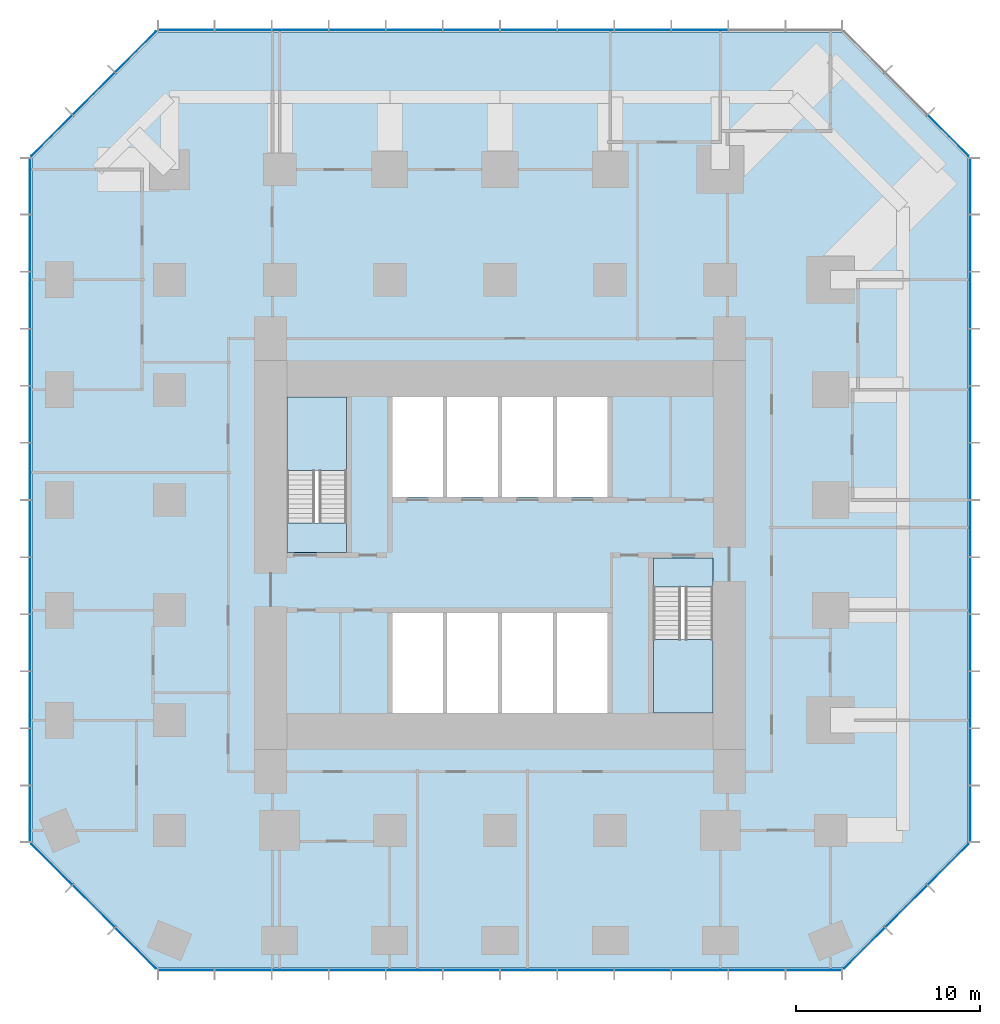
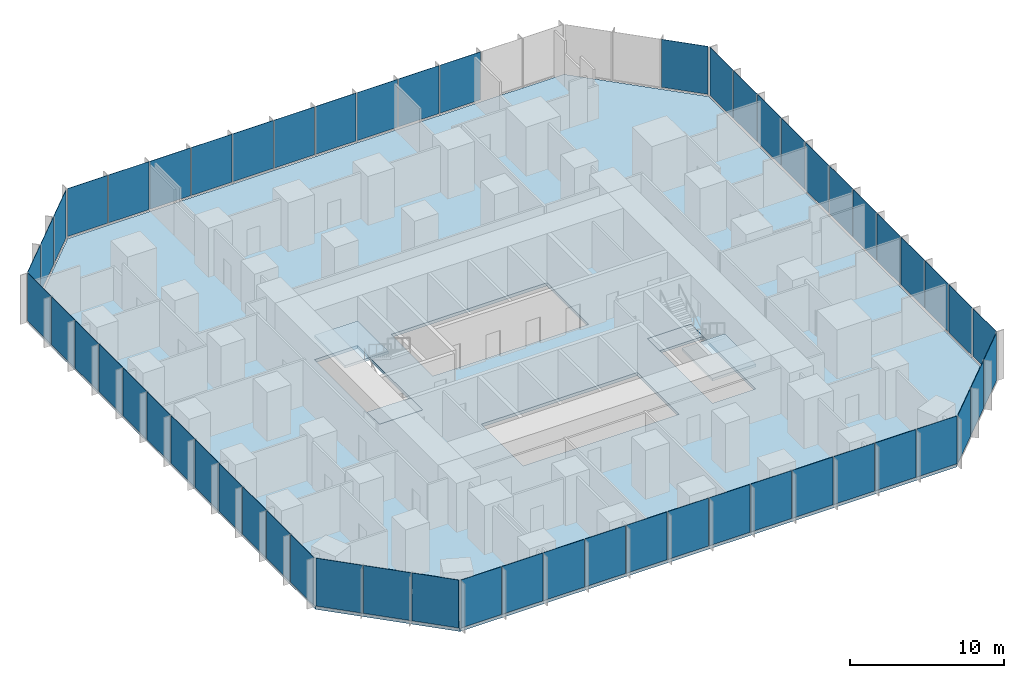
# One storey, part 7 of 12: 56 plates, 5 slabs, 10 elements without a shape of their own.
"""IFC4 building model written with IfcOpenShell, lengths in metres."""

from ifc_helpers import new_model, si_unit, direction, frame, origin, origin_2d, place, context, subcontext, project, spatial, polyline, rectangle, outline, extrude, material, layer, layer_set, type_object, element, aggregate, save


model = new_model("IFC4")

# Units and contexts
model_context = context("Model", 3, precision=1e-05, world=origin(), true_north=direction((0.0, 1.0)))
body_context = subcontext(model_context, "Body", "Model", "MODEL_VIEW")
ifc_project = project(units=[si_unit("LENGTHUNIT", "METRE"), si_unit("AREAUNIT", "SQUARE_METRE"), si_unit("VOLUMEUNIT", "CUBIC_METRE"), si_unit("PLANEANGLEUNIT", "RADIAN"), si_unit("MASSUNIT", "GRAM", prefix="KILO")], contexts=[model_context])

# Site, building, storey
site_placement = place(None, origin())
site = spatial("IfcSite", under=ifc_project, at=site_placement, CompositionType="ELEMENT")
building_placement = place(site_placement, origin())
building = spatial("IfcBuilding", under=site, at=building_placement, Name="Highveld Stack Headquarters", CompositionType="ELEMENT")
storey_placement = place(building_placement, frame((0.0, 0.0, 72.800048828125)))
storey = spatial("IfcBuildingStorey", under=building, at=storey_placement, Name="L17", CompositionType="ELEMENT", Elevation=72.800048828125)

# Curtain wall, plates
ifc_material_1 = material(Name="Aluminium bronze anodised", Category="aluminium")
ifc_layer_1 = layer(ifc_material_1, 0.199951171875)
ifc_layer_set_1 = layer_set([ifc_layer_1], Name="Aluminium bronze anodised")
curtain_wall_type_1 = type_object("IfcCurtainWallType", Name="CW1 TOWER UNITISED CURTAIN WALL", PredefinedType="NOTDEFINED", material=ifc_layer_set_1)
curtain_wall_1_placement = place(storey_placement, origin())
curtain_wall_1 = element("IfcCurtainWall", 1, at=curtain_wall_1_placement, inside=storey, type_object=curtain_wall_type_1, Name="Curtain wall CW1 L17 S", PredefinedType="NOTDEFINED")
ifc_material_2 = material(Name="Glass bronze tinted double glazed unit", Category="glass")
ifc_layer_2 = layer(ifc_material_2, 0.028076171875)
ifc_layer_set_2 = layer_set([ifc_layer_2], Name="Glass bronze tinted double glazed unit")
plate_type_1 = type_object("IfcPlateType", Name="CW1 PANEL BRONZE TINTED DOUBLE GLAZED UNIT", PredefinedType="CURTAIN_PANEL", material=ifc_layer_set_2)
plate_1_placement = place(storey_placement, frame((-11.09130859375, -19.60009765625, 0.10009765625), z_axis=(0.0, 0.0, 1.0), x_axis=(1.0, 0.0, 0.0)))
plate_1 = element("IfcPlate", 2, at=plate_1_placement, type_object=plate_type_1, Name="CW1 panel L17 1.1", PredefinedType="CURTAIN_PANEL", context=body_context, shape_type="SweptSolid", body=[
    extrude(rectangle(XDim=3.012939453125, YDim=0.028076171875, at=origin_2d()), origin(), (0.0, 0.0, 1.0), 3.800048828125),
])
plate_2_placement = place(storey_placement, frame((-7.9970703125, -19.60009765625, 0.10009765625), z_axis=(0.0, 0.0, 1.0), x_axis=(1.0, 0.0, 0.0)))
plate_2 = element("IfcPlate", 3, at=plate_2_placement, type_object=plate_type_1, Name="CW1 panel L17 2.1", PredefinedType="CURTAIN_PANEL", context=body_context, shape_type="SweptSolid", body=[
    extrude(rectangle(XDim=3.04541015625, YDim=0.028076171875, at=origin_2d()), origin(), (0.0, 0.0, 1.0), 3.800048828125),
])
plate_3_placement = place(storey_placement, frame((-4.88671875, -19.60009765625, 0.10009765625), z_axis=(0.0, 0.0, 1.0), x_axis=(1.0, 0.0, 0.0)))
plate_3 = element("IfcPlate", 4, at=plate_3_placement, type_object=plate_type_1, Name="CW1 panel L17 3.1", PredefinedType="CURTAIN_PANEL", context=body_context, shape_type="SweptSolid", body=[
    extrude(rectangle(XDim=3.04541015625, YDim=0.028076171875, at=origin_2d()), origin(), (0.0, 0.0, 1.0), 3.800048828125),
])
plate_4_placement = place(storey_placement, frame((-1.776123046875, -19.60009765625, 0.10009765625), z_axis=(0.0, 0.0, 1.0), x_axis=(1.0, 0.0, 0.0)))
plate_4 = element("IfcPlate", 5, at=plate_4_placement, type_object=plate_type_1, Name="CW1 panel L17 4.1", PredefinedType="CURTAIN_PANEL", context=body_context, shape_type="SweptSolid", body=[
    extrude(rectangle(XDim=3.04541015625, YDim=0.028076171875, at=origin_2d()), origin(), (0.0, 0.0, 1.0), 3.800048828125),
])
plate_5_placement = place(storey_placement, frame((1.334228515625, -19.60009765625, 0.10009765625), z_axis=(0.0, 0.0, 1.0), x_axis=(1.0, 0.0, 0.0)))
plate_5 = element("IfcPlate", 6, at=plate_5_placement, type_object=plate_type_1, Name="CW1 panel L17 5.1", PredefinedType="CURTAIN_PANEL", context=body_context, shape_type="SweptSolid", body=[
    extrude(rectangle(XDim=3.04541015625, YDim=0.028076171875, at=origin_2d()), origin(), (0.0, 0.0, 1.0), 3.800048828125),
])
plate_6_placement = place(storey_placement, frame((4.44482421875, -19.60009765625, 0.10009765625), z_axis=(0.0, 0.0, 1.0), x_axis=(1.0, 0.0, 0.0)))
plate_6 = element("IfcPlate", 7, at=plate_6_placement, type_object=plate_type_1, Name="CW1 panel L17 6.1", PredefinedType="CURTAIN_PANEL", context=body_context, shape_type="SweptSolid", body=[
    extrude(rectangle(XDim=3.04541015625, YDim=0.028076171875, at=origin_2d()), origin(), (0.0, 0.0, 1.0), 3.800048828125),
])
plate_7_placement = place(storey_placement, frame((7.55517578125, -19.60009765625, 0.10009765625), z_axis=(0.0, 0.0, 1.0), x_axis=(1.0, 0.0, 0.0)))
plate_7 = element("IfcPlate", 8, at=plate_7_placement, type_object=plate_type_1, Name="CW1 panel L17 7.1", PredefinedType="CURTAIN_PANEL", context=body_context, shape_type="SweptSolid", body=[
    extrude(rectangle(XDim=3.04541015625, YDim=0.028076171875, at=origin_2d()), origin(), (0.0, 0.0, 1.0), 3.800048828125),
])
plate_8_placement = place(storey_placement, frame((10.665771484375, -19.60009765625, 0.10009765625), z_axis=(0.0, 0.0, 1.0), x_axis=(1.0, 0.0, 0.0)))
plate_8 = element("IfcPlate", 9, at=plate_8_placement, type_object=plate_type_1, Name="CW1 panel L17 8.1", PredefinedType="CURTAIN_PANEL", context=body_context, shape_type="SweptSolid", body=[
    extrude(rectangle(XDim=3.04541015625, YDim=0.028076171875, at=origin_2d()), origin(), (0.0, 0.0, 1.0), 3.800048828125),
])
plate_9_placement = place(storey_placement, frame((13.776123046875, -19.60009765625, 0.10009765625), z_axis=(0.0, 0.0, 1.0), x_axis=(1.0, 0.0, 0.0)))
plate_9 = element("IfcPlate", 10, at=plate_9_placement, type_object=plate_type_1, Name="CW1 panel L17 9.1", PredefinedType="CURTAIN_PANEL", context=body_context, shape_type="SweptSolid", body=[
    extrude(rectangle(XDim=3.04541015625, YDim=0.028076171875, at=origin_2d()), origin(), (0.0, 0.0, 1.0), 3.800048828125),
])
plate_10_placement = place(storey_placement, frame((16.88671875, -19.60009765625, 0.10009765625), z_axis=(0.0, 0.0, 1.0), x_axis=(1.0, 0.0, 0.0)))
plate_10 = element("IfcPlate", 11, at=plate_10_placement, type_object=plate_type_1, Name="CW1 panel L17 10.1", PredefinedType="CURTAIN_PANEL", context=body_context, shape_type="SweptSolid", body=[
    extrude(rectangle(XDim=3.04541015625, YDim=0.028076171875, at=origin_2d()), origin(), (0.0, 0.0, 1.0), 3.800048828125),
])
plate_11_placement = place(storey_placement, frame((19.9970703125, -19.60009765625, 0.10009765625), z_axis=(0.0, 0.0, 1.0), x_axis=(1.0, 0.0, 0.0)))
plate_11 = element("IfcPlate", 12, at=plate_11_placement, type_object=plate_type_1, Name="CW1 panel L17 11.1", PredefinedType="CURTAIN_PANEL", context=body_context, shape_type="SweptSolid", body=[
    extrude(rectangle(XDim=3.04541015625, YDim=0.028076171875, at=origin_2d()), origin(), (0.0, 0.0, 1.0), 3.800048828125),
])
plate_12_placement = place(storey_placement, frame((23.09130859375, -19.60009765625, 0.10009765625), z_axis=(0.0, 0.0, 1.0), x_axis=(1.0, 0.0, 0.0)))
plate_12 = element("IfcPlate", 13, at=plate_12_placement, type_object=plate_type_1, Name="CW1 panel L17 12.1", PredefinedType="CURTAIN_PANEL", context=body_context, shape_type="SweptSolid", body=[
    extrude(rectangle(XDim=3.012939453125, YDim=0.028076171875, at=origin_2d()), origin(), (0.0, 0.0, 1.0), 3.800048828125),
])
aggregate(curtain_wall_1, [plate_1, plate_2, plate_3, plate_4, plate_5, plate_6, plate_7, plate_8, plate_9, plate_10, plate_11, plate_12])

curtain_wall_2_placement = place(storey_placement, origin())
curtain_wall_2 = element("IfcCurtainWall", 14, at=curtain_wall_2_placement, inside=storey, type_object=curtain_wall_type_1, Name="Curtain wall CW1 L17 E", PredefinedType="NOTDEFINED")
plate_13_placement = place(storey_placement, frame((31.60009765625, -11.09130859375, 0.10009765625), z_axis=(0.0, 0.0, 1.0), x_axis=(0.0, 1.0, 0.0)))
plate_13 = element("IfcPlate", 15, at=plate_13_placement, type_object=plate_type_1, Name="CW1 panel L17 1.1", PredefinedType="CURTAIN_PANEL", context=body_context, shape_type="SweptSolid", body=[
    extrude(rectangle(XDim=3.012939453125, YDim=0.028076171875, at=origin_2d()), origin(), (0.0, 0.0, 1.0), 3.800048828125),
])
plate_14_placement = place(storey_placement, frame((31.60009765625, -7.9970703125, 0.10009765625), z_axis=(0.0, 0.0, 1.0), x_axis=(0.0, 1.0, 0.0)))
plate_14 = element("IfcPlate", 16, at=plate_14_placement, type_object=plate_type_1, Name="CW1 panel L17 2.1", PredefinedType="CURTAIN_PANEL", context=body_context, shape_type="SweptSolid", body=[
    extrude(rectangle(XDim=3.04541015625, YDim=0.028076171875, at=origin_2d()), origin(), (0.0, 0.0, 1.0), 3.800048828125),
])
plate_15_placement = place(storey_placement, frame((31.60009765625, -4.88671875, 0.10009765625), z_axis=(0.0, 0.0, 1.0), x_axis=(0.0, 1.0, 0.0)))
plate_15 = element("IfcPlate", 17, at=plate_15_placement, type_object=plate_type_1, Name="CW1 panel L17 3.1", PredefinedType="CURTAIN_PANEL", context=body_context, shape_type="SweptSolid", body=[
    extrude(rectangle(XDim=3.04541015625, YDim=0.028076171875, at=origin_2d()), origin(), (0.0, 0.0, 1.0), 3.800048828125),
])
plate_16_placement = place(storey_placement, frame((31.60009765625, -1.776123046875, 0.10009765625), z_axis=(0.0, 0.0, 1.0), x_axis=(0.0, 1.0, 0.0)))
plate_16 = element("IfcPlate", 18, at=plate_16_placement, type_object=plate_type_1, Name="CW1 panel L17 4.1", PredefinedType="CURTAIN_PANEL", context=body_context, shape_type="SweptSolid", body=[
    extrude(rectangle(XDim=3.04541015625, YDim=0.028076171875, at=origin_2d()), origin(), (0.0, 0.0, 1.0), 3.800048828125),
])
plate_17_placement = place(storey_placement, frame((31.60009765625, 1.334228515625, 0.10009765625), z_axis=(0.0, 0.0, 1.0), x_axis=(0.0, 1.0, 0.0)))
plate_17 = element("IfcPlate", 19, at=plate_17_placement, type_object=plate_type_1, Name="CW1 panel L17 5.1", PredefinedType="CURTAIN_PANEL", context=body_context, shape_type="SweptSolid", body=[
    extrude(rectangle(XDim=3.04541015625, YDim=0.028076171875, at=origin_2d()), origin(), (0.0, 0.0, 1.0), 3.800048828125),
])
plate_18_placement = place(storey_placement, frame((31.60009765625, 4.44482421875, 0.10009765625), z_axis=(0.0, 0.0, 1.0), x_axis=(0.0, 1.0, 0.0)))
plate_18 = element("IfcPlate", 20, at=plate_18_placement, type_object=plate_type_1, Name="CW1 panel L17 6.1", PredefinedType="CURTAIN_PANEL", context=body_context, shape_type="SweptSolid", body=[
    extrude(rectangle(XDim=3.04541015625, YDim=0.028076171875, at=origin_2d()), origin(), (0.0, 0.0, 1.0), 3.800048828125),
])
plate_19_placement = place(storey_placement, frame((31.60009765625, 7.55517578125, 0.10009765625), z_axis=(0.0, 0.0, 1.0), x_axis=(0.0, 1.0, 0.0)))
plate_19 = element("IfcPlate", 21, at=plate_19_placement, type_object=plate_type_1, Name="CW1 panel L17 7.1", PredefinedType="CURTAIN_PANEL", context=body_context, shape_type="SweptSolid", body=[
    extrude(rectangle(XDim=3.04541015625, YDim=0.028076171875, at=origin_2d()), origin(), (0.0, 0.0, 1.0), 3.800048828125),
])
plate_20_placement = place(storey_placement, frame((31.60009765625, 10.665771484375, 0.10009765625), z_axis=(0.0, 0.0, 1.0), x_axis=(0.0, 1.0, 0.0)))
plate_20 = element("IfcPlate", 22, at=plate_20_placement, type_object=plate_type_1, Name="CW1 panel L17 8.1", PredefinedType="CURTAIN_PANEL", context=body_context, shape_type="SweptSolid", body=[
    extrude(rectangle(XDim=3.04541015625, YDim=0.028076171875, at=origin_2d()), origin(), (0.0, 0.0, 1.0), 3.800048828125),
])
plate_21_placement = place(storey_placement, frame((31.60009765625, 13.776123046875, 0.10009765625), z_axis=(0.0, 0.0, 1.0), x_axis=(0.0, 1.0, 0.0)))
plate_21 = element("IfcPlate", 23, at=plate_21_placement, type_object=plate_type_1, Name="CW1 panel L17 9.1", PredefinedType="CURTAIN_PANEL", context=body_context, shape_type="SweptSolid", body=[
    extrude(rectangle(XDim=3.04541015625, YDim=0.028076171875, at=origin_2d()), origin(), (0.0, 0.0, 1.0), 3.800048828125),
])
plate_22_placement = place(storey_placement, frame((31.60009765625, 16.88671875, 0.10009765625), z_axis=(0.0, 0.0, 1.0), x_axis=(0.0, 1.0, 0.0)))
plate_22 = element("IfcPlate", 24, at=plate_22_placement, type_object=plate_type_1, Name="CW1 panel L17 10.1", PredefinedType="CURTAIN_PANEL", context=body_context, shape_type="SweptSolid", body=[
    extrude(rectangle(XDim=3.04541015625, YDim=0.028076171875, at=origin_2d()), origin(), (0.0, 0.0, 1.0), 3.800048828125),
])
plate_23_placement = place(storey_placement, frame((31.60009765625, 19.9970703125, 0.10009765625), z_axis=(0.0, 0.0, 1.0), x_axis=(0.0, 1.0, 0.0)))
plate_23 = element("IfcPlate", 25, at=plate_23_placement, type_object=plate_type_1, Name="CW1 panel L17 11.1", PredefinedType="CURTAIN_PANEL", context=body_context, shape_type="SweptSolid", body=[
    extrude(rectangle(XDim=3.04541015625, YDim=0.028076171875, at=origin_2d()), origin(), (0.0, 0.0, 1.0), 3.800048828125),
])
plate_24_placement = place(storey_placement, frame((31.60009765625, 23.09130859375, 0.10009765625), z_axis=(0.0, 0.0, 1.0), x_axis=(0.0, 1.0, 0.0)))
plate_24 = element("IfcPlate", 26, at=plate_24_placement, type_object=plate_type_1, Name="CW1 panel L17 12.1", PredefinedType="CURTAIN_PANEL", context=body_context, shape_type="SweptSolid", body=[
    extrude(rectangle(XDim=3.012939453125, YDim=0.028076171875, at=origin_2d()), origin(), (0.0, 0.0, 1.0), 3.800048828125),
])
aggregate(curtain_wall_2, [plate_13, plate_14, plate_15, plate_16, plate_17, plate_18, plate_19, plate_20, plate_21, plate_22, plate_23, plate_24])

curtain_wall_3_placement = place(storey_placement, origin())
curtain_wall_3 = element("IfcCurtainWall", 27, at=curtain_wall_3_placement, inside=storey, type_object=curtain_wall_type_1, Name="Curtain wall CW1 L17 N", PredefinedType="NOTDEFINED")
plate_25_placement = place(storey_placement, frame((16.88671875, 31.60009765625, 0.10009765625), z_axis=(0.0, 0.0, 1.0), x_axis=(-1.0, 0.0, 0.0)))
plate_25 = element("IfcPlate", 28, at=plate_25_placement, type_object=plate_type_1, Name="CW1 panel L17 3.1", PredefinedType="CURTAIN_PANEL", context=body_context, shape_type="SweptSolid", body=[
    extrude(rectangle(XDim=3.04541015625, YDim=0.028076171875, at=origin_2d()), origin(), (0.0, 0.0, 1.0), 3.800048828125),
])
plate_26_placement = place(storey_placement, frame((13.776123046875, 31.60009765625, 0.10009765625), z_axis=(0.0, 0.0, 1.0), x_axis=(-1.0, 0.0, 0.0)))
plate_26 = element("IfcPlate", 29, at=plate_26_placement, type_object=plate_type_1, Name="CW1 panel L17 4.1", PredefinedType="CURTAIN_PANEL", context=body_context, shape_type="SweptSolid", body=[
    extrude(rectangle(XDim=3.04541015625, YDim=0.028076171875, at=origin_2d()), origin(), (0.0, 0.0, 1.0), 3.800048828125),
])
plate_27_placement = place(storey_placement, frame((10.665771484375, 31.60009765625, 0.10009765625), z_axis=(0.0, 0.0, 1.0), x_axis=(-1.0, 0.0, 0.0)))
plate_27 = element("IfcPlate", 30, at=plate_27_placement, type_object=plate_type_1, Name="CW1 panel L17 5.1", PredefinedType="CURTAIN_PANEL", context=body_context, shape_type="SweptSolid", body=[
    extrude(rectangle(XDim=3.04541015625, YDim=0.028076171875, at=origin_2d()), origin(), (0.0, 0.0, 1.0), 3.800048828125),
])
plate_28_placement = place(storey_placement, frame((7.55517578125, 31.60009765625, 0.10009765625), z_axis=(0.0, 0.0, 1.0), x_axis=(-1.0, 0.0, 0.0)))
plate_28 = element("IfcPlate", 31, at=plate_28_placement, type_object=plate_type_1, Name="CW1 panel L17 6.1", PredefinedType="CURTAIN_PANEL", context=body_context, shape_type="SweptSolid", body=[
    extrude(rectangle(XDim=3.04541015625, YDim=0.028076171875, at=origin_2d()), origin(), (0.0, 0.0, 1.0), 3.800048828125),
])
plate_29_placement = place(storey_placement, frame((4.44482421875, 31.60009765625, 0.10009765625), z_axis=(0.0, 0.0, 1.0), x_axis=(-1.0, 0.0, 0.0)))
plate_29 = element("IfcPlate", 32, at=plate_29_placement, type_object=plate_type_1, Name="CW1 panel L17 7.1", PredefinedType="CURTAIN_PANEL", context=body_context, shape_type="SweptSolid", body=[
    extrude(rectangle(XDim=3.04541015625, YDim=0.028076171875, at=origin_2d()), origin(), (0.0, 0.0, 1.0), 3.800048828125),
])
plate_30_placement = place(storey_placement, frame((1.334228515625, 31.60009765625, 0.10009765625), z_axis=(0.0, 0.0, 1.0), x_axis=(-1.0, 0.0, 0.0)))
plate_30 = element("IfcPlate", 33, at=plate_30_placement, type_object=plate_type_1, Name="CW1 panel L17 8.1", PredefinedType="CURTAIN_PANEL", context=body_context, shape_type="SweptSolid", body=[
    extrude(rectangle(XDim=3.04541015625, YDim=0.028076171875, at=origin_2d()), origin(), (0.0, 0.0, 1.0), 3.800048828125),
])
plate_31_placement = place(storey_placement, frame((-1.776123046875, 31.60009765625, 0.10009765625), z_axis=(0.0, 0.0, 1.0), x_axis=(-1.0, 0.0, 0.0)))
plate_31 = element("IfcPlate", 34, at=plate_31_placement, type_object=plate_type_1, Name="CW1 panel L17 9.1", PredefinedType="CURTAIN_PANEL", context=body_context, shape_type="SweptSolid", body=[
    extrude(rectangle(XDim=3.04541015625, YDim=0.028076171875, at=origin_2d()), origin(), (0.0, 0.0, 1.0), 3.800048828125),
])
plate_32_placement = place(storey_placement, frame((-4.88671875, 31.60009765625, 0.10009765625), z_axis=(0.0, 0.0, 1.0), x_axis=(-1.0, 0.0, 0.0)))
plate_32 = element("IfcPlate", 35, at=plate_32_placement, type_object=plate_type_1, Name="CW1 panel L17 10.1", PredefinedType="CURTAIN_PANEL", context=body_context, shape_type="SweptSolid", body=[
    extrude(rectangle(XDim=3.04541015625, YDim=0.028076171875, at=origin_2d()), origin(), (0.0, 0.0, 1.0), 3.800048828125),
])
plate_33_placement = place(storey_placement, frame((-7.9970703125, 31.60009765625, 0.10009765625), z_axis=(0.0, 0.0, 1.0), x_axis=(-1.0, 0.0, 0.0)))
plate_33 = element("IfcPlate", 36, at=plate_33_placement, type_object=plate_type_1, Name="CW1 panel L17 11.1", PredefinedType="CURTAIN_PANEL", context=body_context, shape_type="SweptSolid", body=[
    extrude(rectangle(XDim=3.04541015625, YDim=0.028076171875, at=origin_2d()), origin(), (0.0, 0.0, 1.0), 3.800048828125),
])
plate_34_placement = place(storey_placement, frame((-11.09130859375, 31.60009765625, 0.10009765625), z_axis=(0.0, 0.0, 1.0), x_axis=(-1.0, 0.0, 0.0)))
plate_34 = element("IfcPlate", 37, at=plate_34_placement, type_object=plate_type_1, Name="CW1 panel L17 12.1", PredefinedType="CURTAIN_PANEL", context=body_context, shape_type="SweptSolid", body=[
    extrude(rectangle(XDim=3.012939453125, YDim=0.028076171875, at=origin_2d()), origin(), (0.0, 0.0, 1.0), 3.800048828125),
])
aggregate(curtain_wall_3, [plate_25, plate_26, plate_27, plate_28, plate_29, plate_30, plate_31, plate_32, plate_33, plate_34])

curtain_wall_4_placement = place(storey_placement, origin())
curtain_wall_4 = element("IfcCurtainWall", 38, at=curtain_wall_4_placement, inside=storey, type_object=curtain_wall_type_1, Name="Curtain wall CW1 L17 W", PredefinedType="NOTDEFINED")
plate_35_placement = place(storey_placement, frame((-19.60009765625, 23.09130859375, 0.10009765625), z_axis=(0.0, 0.0, 1.0), x_axis=(0.0, -1.0, 0.0)))
plate_35 = element("IfcPlate", 39, at=plate_35_placement, type_object=plate_type_1, Name="CW1 panel L17 1.1", PredefinedType="CURTAIN_PANEL", context=body_context, shape_type="SweptSolid", body=[
    extrude(rectangle(XDim=3.012939453125, YDim=0.028076171875, at=origin_2d()), origin(), (0.0, 0.0, 1.0), 3.800048828125),
])
plate_36_placement = place(storey_placement, frame((-19.60009765625, 19.9970703125, 0.10009765625), z_axis=(0.0, 0.0, 1.0), x_axis=(0.0, -1.0, 0.0)))
plate_36 = element("IfcPlate", 40, at=plate_36_placement, type_object=plate_type_1, Name="CW1 panel L17 2.1", PredefinedType="CURTAIN_PANEL", context=body_context, shape_type="SweptSolid", body=[
    extrude(rectangle(XDim=3.04541015625, YDim=0.028076171875, at=origin_2d()), origin(), (0.0, 0.0, 1.0), 3.800048828125),
])
plate_37_placement = place(storey_placement, frame((-19.60009765625, 16.88671875, 0.10009765625), z_axis=(0.0, 0.0, 1.0), x_axis=(0.0, -1.0, 0.0)))
plate_37 = element("IfcPlate", 41, at=plate_37_placement, type_object=plate_type_1, Name="CW1 panel L17 3.1", PredefinedType="CURTAIN_PANEL", context=body_context, shape_type="SweptSolid", body=[
    extrude(rectangle(XDim=3.04541015625, YDim=0.028076171875, at=origin_2d()), origin(), (0.0, 0.0, 1.0), 3.800048828125),
])
plate_38_placement = place(storey_placement, frame((-19.60009765625, 13.776123046875, 0.10009765625), z_axis=(0.0, 0.0, 1.0), x_axis=(0.0, -1.0, 0.0)))
plate_38 = element("IfcPlate", 42, at=plate_38_placement, type_object=plate_type_1, Name="CW1 panel L17 4.1", PredefinedType="CURTAIN_PANEL", context=body_context, shape_type="SweptSolid", body=[
    extrude(rectangle(XDim=3.04541015625, YDim=0.028076171875, at=origin_2d()), origin(), (0.0, 0.0, 1.0), 3.800048828125),
])
plate_39_placement = place(storey_placement, frame((-19.60009765625, 10.665771484375, 0.10009765625), z_axis=(0.0, 0.0, 1.0), x_axis=(0.0, -1.0, 0.0)))
plate_39 = element("IfcPlate", 43, at=plate_39_placement, type_object=plate_type_1, Name="CW1 panel L17 5.1", PredefinedType="CURTAIN_PANEL", context=body_context, shape_type="SweptSolid", body=[
    extrude(rectangle(XDim=3.04541015625, YDim=0.028076171875, at=origin_2d()), origin(), (0.0, 0.0, 1.0), 3.800048828125),
])
plate_40_placement = place(storey_placement, frame((-19.60009765625, 7.55517578125, 0.10009765625), z_axis=(0.0, 0.0, 1.0), x_axis=(0.0, -1.0, 0.0)))
plate_40 = element("IfcPlate", 44, at=plate_40_placement, type_object=plate_type_1, Name="CW1 panel L17 6.1", PredefinedType="CURTAIN_PANEL", context=body_context, shape_type="SweptSolid", body=[
    extrude(rectangle(XDim=3.04541015625, YDim=0.028076171875, at=origin_2d()), origin(), (0.0, 0.0, 1.0), 3.800048828125),
])
plate_41_placement = place(storey_placement, frame((-19.60009765625, 4.44482421875, 0.10009765625), z_axis=(0.0, 0.0, 1.0), x_axis=(0.0, -1.0, 0.0)))
plate_41 = element("IfcPlate", 45, at=plate_41_placement, type_object=plate_type_1, Name="CW1 panel L17 7.1", PredefinedType="CURTAIN_PANEL", context=body_context, shape_type="SweptSolid", body=[
    extrude(rectangle(XDim=3.04541015625, YDim=0.028076171875, at=origin_2d()), origin(), (0.0, 0.0, 1.0), 3.800048828125),
])
plate_42_placement = place(storey_placement, frame((-19.60009765625, 1.334228515625, 0.10009765625), z_axis=(0.0, 0.0, 1.0), x_axis=(0.0, -1.0, 0.0)))
plate_42 = element("IfcPlate", 46, at=plate_42_placement, type_object=plate_type_1, Name="CW1 panel L17 8.1", PredefinedType="CURTAIN_PANEL", context=body_context, shape_type="SweptSolid", body=[
    extrude(rectangle(XDim=3.04541015625, YDim=0.028076171875, at=origin_2d()), origin(), (0.0, 0.0, 1.0), 3.800048828125),
])
plate_43_placement = place(storey_placement, frame((-19.60009765625, -1.776123046875, 0.10009765625), z_axis=(0.0, 0.0, 1.0), x_axis=(0.0, -1.0, 0.0)))
plate_43 = element("IfcPlate", 47, at=plate_43_placement, type_object=plate_type_1, Name="CW1 panel L17 9.1", PredefinedType="CURTAIN_PANEL", context=body_context, shape_type="SweptSolid", body=[
    extrude(rectangle(XDim=3.04541015625, YDim=0.028076171875, at=origin_2d()), origin(), (0.0, 0.0, 1.0), 3.800048828125),
])
plate_44_placement = place(storey_placement, frame((-19.60009765625, -4.88671875, 0.10009765625), z_axis=(0.0, 0.0, 1.0), x_axis=(0.0, -1.0, 0.0)))
plate_44 = element("IfcPlate", 48, at=plate_44_placement, type_object=plate_type_1, Name="CW1 panel L17 10.1", PredefinedType="CURTAIN_PANEL", context=body_context, shape_type="SweptSolid", body=[
    extrude(rectangle(XDim=3.04541015625, YDim=0.028076171875, at=origin_2d()), origin(), (0.0, 0.0, 1.0), 3.800048828125),
])
plate_45_placement = place(storey_placement, frame((-19.60009765625, -7.9970703125, 0.10009765625), z_axis=(0.0, 0.0, 1.0), x_axis=(0.0, -1.0, 0.0)))
plate_45 = element("IfcPlate", 49, at=plate_45_placement, type_object=plate_type_1, Name="CW1 panel L17 11.1", PredefinedType="CURTAIN_PANEL", context=body_context, shape_type="SweptSolid", body=[
    extrude(rectangle(XDim=3.04541015625, YDim=0.028076171875, at=origin_2d()), origin(), (0.0, 0.0, 1.0), 3.800048828125),
])
plate_46_placement = place(storey_placement, frame((-19.60009765625, -11.09130859375, 0.10009765625), z_axis=(0.0, 0.0, 1.0), x_axis=(0.0, -1.0, 0.0)))
plate_46 = element("IfcPlate", 50, at=plate_46_placement, type_object=plate_type_1, Name="CW1 panel L17 12.1", PredefinedType="CURTAIN_PANEL", context=body_context, shape_type="SweptSolid", body=[
    extrude(rectangle(XDim=3.012939453125, YDim=0.028076171875, at=origin_2d()), origin(), (0.0, 0.0, 1.0), 3.800048828125),
])
aggregate(curtain_wall_4, [plate_35, plate_36, plate_37, plate_38, plate_39, plate_40, plate_41, plate_42, plate_43, plate_44, plate_45, plate_46])

ifc_material_3 = material(Name="Aluminium bronze anodised", Category="aluminium")
ifc_layer_3 = layer(ifc_material_3, 0.199951171875)
ifc_layer_set_3 = layer_set([ifc_layer_3], Name="Aluminium bronze anodised")
curtain_wall_type_2 = type_object("IfcCurtainWallType", Name="CW2 TOWER CHAMFER UNITISED CURTAIN WALL", PredefinedType="NOTDEFINED", material=ifc_layer_set_3)
curtain_wall_5_placement = place(storey_placement, origin())
curtain_wall_5 = element("IfcCurtainWall", 51, at=curtain_wall_5_placement, inside=storey, type_object=curtain_wall_type_2, Name="Curtain wall CW2 L17 SE", PredefinedType="NOTDEFINED")
ifc_material_4 = material(Name="Glass bronze tinted double glazed unit", Category="glass")
ifc_layer_4 = layer(ifc_material_4, 0.028076171875)
ifc_layer_set_4 = layer_set([ifc_layer_4], Name="Glass bronze tinted double glazed unit")
plate_type_2 = type_object("IfcPlateType", Name="CW2 PANEL BRONZE TINTED DOUBLE GLAZED UNIT", PredefinedType="CURTAIN_PANEL", material=ifc_layer_set_4)
plate_47_placement = place(storey_placement, frame((25.8427734375, -18.419921875, 0.10009765625), z_axis=(0.0, 0.0, 1.0), x_axis=(0.707106781187, 0.707106781187, 0.0)))
plate_47 = element("IfcPlate", 52, at=plate_47_placement, type_object=plate_type_2, Name="CW2 panel L17 1.1", PredefinedType="CURTAIN_PANEL", context=body_context, shape_type="SweptSolid", body=[
    extrude(rectangle(XDim=3.1376953125, YDim=0.028076171875, at=origin_2d()), origin(), (0.0, 0.0, 1.0), 3.800048828125),
])
plate_48_placement = place(storey_placement, frame((28.13134765625, -16.13134765625, 0.10009765625), z_axis=(0.0, 0.0, 1.0), x_axis=(0.707106781187, 0.707106781187, 0.0)))
plate_48 = element("IfcPlate", 53, at=plate_48_placement, type_object=plate_type_2, Name="CW2 panel L17 2.1", PredefinedType="CURTAIN_PANEL", context=body_context, shape_type="SweptSolid", body=[
    extrude(rectangle(XDim=3.205322265625, YDim=0.028076171875, at=origin_2d()), origin(), (0.0, 0.0, 1.0), 3.800048828125),
])
plate_49_placement = place(storey_placement, frame((30.419921875, -13.8427734375, 0.10009765625), z_axis=(0.0, 0.0, 1.0), x_axis=(0.707106781187, 0.707106781187, 0.0)))
plate_49 = element("IfcPlate", 54, at=plate_49_placement, type_object=plate_type_2, Name="CW2 panel L17 3.1", PredefinedType="CURTAIN_PANEL", context=body_context, shape_type="SweptSolid", body=[
    extrude(rectangle(XDim=3.1376953125, YDim=0.028076171875, at=origin_2d()), origin(), (0.0, 0.0, 1.0), 3.800048828125),
])
aggregate(curtain_wall_5, [plate_47, plate_48, plate_49])

# Curtain wall, plate
curtain_wall_6_placement = place(storey_placement, origin())
curtain_wall_6 = element("IfcCurtainWall", 55, at=curtain_wall_6_placement, inside=storey, type_object=curtain_wall_type_2, Name="Curtain wall CW2 L17 NE", PredefinedType="NOTDEFINED")
plate_50_placement = place(storey_placement, frame((30.419921875, 25.8427734375, 0.10009765625), z_axis=(0.0, 0.0, 1.0), x_axis=(-0.707106781187, 0.707106781187, 0.0)))
plate_50 = element("IfcPlate", 56, at=plate_50_placement, type_object=plate_type_2, Name="CW2 panel L17 1.1", PredefinedType="CURTAIN_PANEL", context=body_context, shape_type="SweptSolid", body=[
    extrude(rectangle(XDim=3.1376953125, YDim=0.028076171875, at=origin_2d()), origin(), (0.0, 0.0, 1.0), 3.800048828125),
])
aggregate(curtain_wall_6, [plate_50])

# Curtain wall, plates
curtain_wall_7_placement = place(storey_placement, origin())
curtain_wall_7 = element("IfcCurtainWall", 57, at=curtain_wall_7_placement, inside=storey, type_object=curtain_wall_type_2, Name="Curtain wall CW2 L17 NW", PredefinedType="NOTDEFINED")
plate_51_placement = place(storey_placement, frame((-13.8427734375, 30.419921875, 0.10009765625), z_axis=(0.0, 0.0, 1.0), x_axis=(-0.707106781187, -0.707106781187, 0.0)))
plate_51 = element("IfcPlate", 58, at=plate_51_placement, type_object=plate_type_2, Name="CW2 panel L17 1.1", PredefinedType="CURTAIN_PANEL", context=body_context, shape_type="SweptSolid", body=[
    extrude(rectangle(XDim=3.1376953125, YDim=0.028076171875, at=origin_2d()), origin(), (0.0, 0.0, 1.0), 3.800048828125),
])
plate_52_placement = place(storey_placement, frame((-16.13134765625, 28.13134765625, 0.10009765625), z_axis=(0.0, 0.0, 1.0), x_axis=(-0.707106781187, -0.707106781187, 0.0)))
plate_52 = element("IfcPlate", 59, at=plate_52_placement, type_object=plate_type_2, Name="CW2 panel L17 2.1", PredefinedType="CURTAIN_PANEL", context=body_context, shape_type="SweptSolid", body=[
    extrude(rectangle(XDim=3.205322265625, YDim=0.028076171875, at=origin_2d()), origin(), (0.0, 0.0, 1.0), 3.800048828125),
])
plate_53_placement = place(storey_placement, frame((-18.419921875, 25.8427734375, 0.10009765625), z_axis=(0.0, 0.0, 1.0), x_axis=(-0.707106781187, -0.707106781187, 0.0)))
plate_53 = element("IfcPlate", 60, at=plate_53_placement, type_object=plate_type_2, Name="CW2 panel L17 3.1", PredefinedType="CURTAIN_PANEL", context=body_context, shape_type="SweptSolid", body=[
    extrude(rectangle(XDim=3.1376953125, YDim=0.028076171875, at=origin_2d()), origin(), (0.0, 0.0, 1.0), 3.800048828125),
])
aggregate(curtain_wall_7, [plate_51, plate_52, plate_53])

curtain_wall_8_placement = place(storey_placement, origin())
curtain_wall_8 = element("IfcCurtainWall", 61, at=curtain_wall_8_placement, inside=storey, type_object=curtain_wall_type_2, Name="Curtain wall CW2 L17 SW", PredefinedType="NOTDEFINED")
plate_54_placement = place(storey_placement, frame((-18.419921875, -13.8427734375, 0.10009765625), z_axis=(0.0, 0.0, 1.0), x_axis=(0.707106781187, -0.707106781187, 0.0)))
plate_54 = element("IfcPlate", 62, at=plate_54_placement, type_object=plate_type_2, Name="CW2 panel L17 1.1", PredefinedType="CURTAIN_PANEL", context=body_context, shape_type="SweptSolid", body=[
    extrude(rectangle(XDim=3.1376953125, YDim=0.028076171875, at=origin_2d()), origin(), (0.0, 0.0, 1.0), 3.800048828125),
])
plate_55_placement = place(storey_placement, frame((-16.13134765625, -16.13134765625, 0.10009765625), z_axis=(0.0, 0.0, 1.0), x_axis=(0.707106781187, -0.707106781187, 0.0)))
plate_55 = element("IfcPlate", 63, at=plate_55_placement, type_object=plate_type_2, Name="CW2 panel L17 2.1", PredefinedType="CURTAIN_PANEL", context=body_context, shape_type="SweptSolid", body=[
    extrude(rectangle(XDim=3.205322265625, YDim=0.028076171875, at=origin_2d()), origin(), (0.0, 0.0, 1.0), 3.800048828125),
])
plate_56_placement = place(storey_placement, frame((-13.8427734375, -18.419921875, 0.10009765625), z_axis=(0.0, 0.0, 1.0), x_axis=(0.707106781187, -0.707106781187, 0.0)))
plate_56 = element("IfcPlate", 64, at=plate_56_placement, type_object=plate_type_2, Name="CW2 panel L17 3.1", PredefinedType="CURTAIN_PANEL", context=body_context, shape_type="SweptSolid", body=[
    extrude(rectangle(XDim=3.1376953125, YDim=0.028076171875, at=origin_2d()), origin(), (0.0, 0.0, 1.0), 3.800048828125),
])
aggregate(curtain_wall_8, [plate_54, plate_55, plate_56])

# Slab
ifc_material_5 = material(Name="Concrete C60/75", Category="concrete")
ifc_layer_5 = layer(ifc_material_5, 0.25)
ifc_layer_set_5 = layer_set([ifc_layer_5], Name="Concrete C60/75")
slab_type_1 = type_object("IfcSlabType", Name="PT FLAT SLAB 250", PredefinedType="FLOOR", material=ifc_layer_set_5)
slab_1_placement = place(storey_placement, frame((0.0, 0.0, -0.25)))
element("IfcSlab", 65, at=slab_1_placement, inside=storey, type_object=slab_type_1, Name="Floor slab L17", PredefinedType="FLOOR", context=body_context, shape_type="SweptSolid", body=[
    extrude(outline(polyline([(-12.621337890625, -19.5), (24.621337890625, -19.5), (31.5, -12.621337890625), (31.5, 24.621337890625), (24.621337890625, 31.5), (-12.621337890625, 31.5), (-19.5, 24.621337890625), (-19.5, -12.621337890625), (-12.621337890625, -19.5)]), holes=[polyline([(0.14990234375, 6.14990234375), (11.85009765625, 6.14990234375), (11.85009765625, 11.60009765625), (0.14990234375, 11.60009765625), (0.14990234375, 6.14990234375)]), polyline([(0.14990234375, -5.60009765625), (11.85009765625, -5.60009765625), (11.85009765625, -0.14990234375), (0.14990234375, -0.14990234375), (0.14990234375, -5.60009765625)]), polyline([(-5.60009765625, 3.14990234375), (-2.35009765625, 3.14990234375), (-2.35009765625, 11.60009765625), (-5.60009765625, 11.60009765625), (-5.60009765625, 3.14990234375)]), polyline([(14.35009765625, -5.60009765625), (17.60009765625, -5.60009765625), (17.60009765625, 2.85009765625), (14.35009765625, 2.85009765625), (14.35009765625, -5.60009765625)])]), origin(), (0.0, 0.0, 1.0), 0.25),
])

# Stair, slabs
ifc_material_6 = material(Name="Concrete C40/50, precast", Category="concrete")
stair_type_1 = type_object("IfcStairType", Name="STAIR S1 HALF TURN 1500", PredefinedType="HALF_TURN_STAIR", material=ifc_material_6)
stair_1_placement = place(storey_placement, origin())
stair_1 = element("IfcStair", 66, at=stair_1_placement, inside=storey, type_object=stair_type_1, Name="Stair S1 L17", PredefinedType="HALF_TURN_STAIR")
ifc_material_7 = material(Name="Concrete C40/50, precast", Category="concrete")
ifc_layer_6 = layer(ifc_material_7, 0.199951171875)
ifc_layer_set_6 = layer_set([ifc_layer_6], Name="Concrete C40/50, precast")
slab_type_2 = type_object("IfcSlabType", Name="STAIR LANDING 200", PredefinedType="LANDING", material=ifc_layer_set_6)
slab_2_placement = place(storey_placement, frame((0.0, 0.0, 1.75)))
slab_2 = element("IfcSlab", 67, at=slab_2_placement, type_object=slab_type_2, Name="S1 landing 1", PredefinedType="LANDING", context=body_context, shape_type="SweptSolid", body=[
    extrude(outline(polyline([(-5.60009765625, 7.610107421875), (-2.35009765625, 7.610107421875), (-2.35009765625, 11.60009765625), (-5.60009765625, 11.60009765625), (-5.60009765625, 7.610107421875)])), origin(), (0.0, 0.0, 1.0), 0.199951171875),
])
slab_3_placement = place(storey_placement, frame((0.0, 0.0, -0.199951171875)))
slab_3 = element("IfcSlab", 68, at=slab_3_placement, type_object=slab_type_2, Name="S1 landing 2", PredefinedType="LANDING", context=body_context, shape_type="SweptSolid", body=[
    extrude(outline(polyline([(-5.60009765625, 3.14990234375), (-2.35009765625, 3.14990234375), (-2.35009765625, 4.75), (-5.60009765625, 4.75), (-5.60009765625, 3.14990234375)])), origin(), (0.0, 0.0, 1.0), 0.199951171875),
])
aggregate(stair_1, [slab_2, slab_3])

ifc_material_8 = material(Name="Concrete C40/50, precast", Category="concrete")
stair_type_2 = type_object("IfcStairType", Name="STAIR S2 HALF TURN 1500", PredefinedType="HALF_TURN_STAIR", material=ifc_material_8)
stair_2_placement = place(storey_placement, origin())
stair_2 = element("IfcStair", 69, at=stair_2_placement, inside=storey, type_object=stair_type_2, Name="Stair S2 L17", PredefinedType="HALF_TURN_STAIR")
slab_4_placement = place(storey_placement, frame((0.0, 0.0, 1.75)))
slab_4 = element("IfcSlab", 70, at=slab_4_placement, type_object=slab_type_2, Name="S2 landing 1", PredefinedType="LANDING", context=body_context, shape_type="SweptSolid", body=[
    extrude(outline(polyline([(14.35009765625, -5.60009765625), (17.60009765625, -5.60009765625), (17.60009765625, -1.610107421875), (14.35009765625, -1.610107421875), (14.35009765625, -5.60009765625)])), origin(), (0.0, 0.0, 1.0), 0.199951171875),
])
slab_5_placement = place(storey_placement, frame((0.0, 0.0, -0.199951171875)))
slab_5 = element("IfcSlab", 71, at=slab_5_placement, type_object=slab_type_2, Name="S2 landing 2", PredefinedType="LANDING", context=body_context, shape_type="SweptSolid", body=[
    extrude(outline(polyline([(14.35009765625, 1.25), (17.60009765625, 1.25), (17.60009765625, 2.85009765625), (14.35009765625, 2.85009765625), (14.35009765625, 1.25)])), origin(), (0.0, 0.0, 1.0), 0.199951171875),
])
aggregate(stair_2, [slab_4, slab_5])

save(model, "model.ifc")
